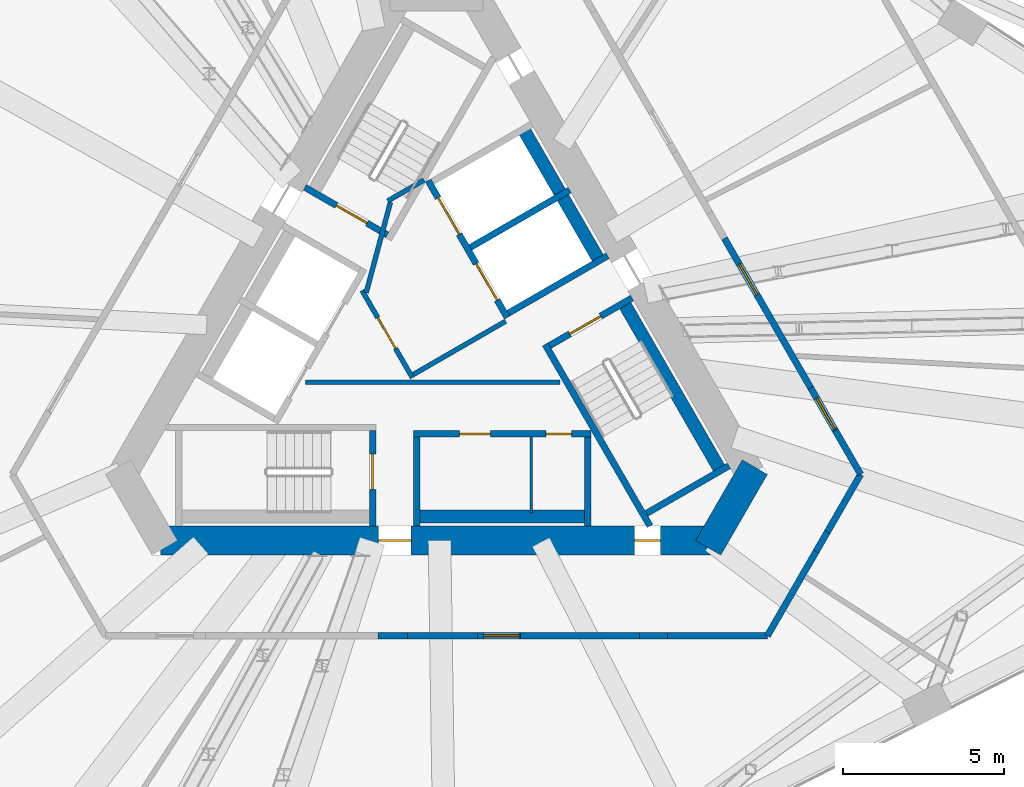
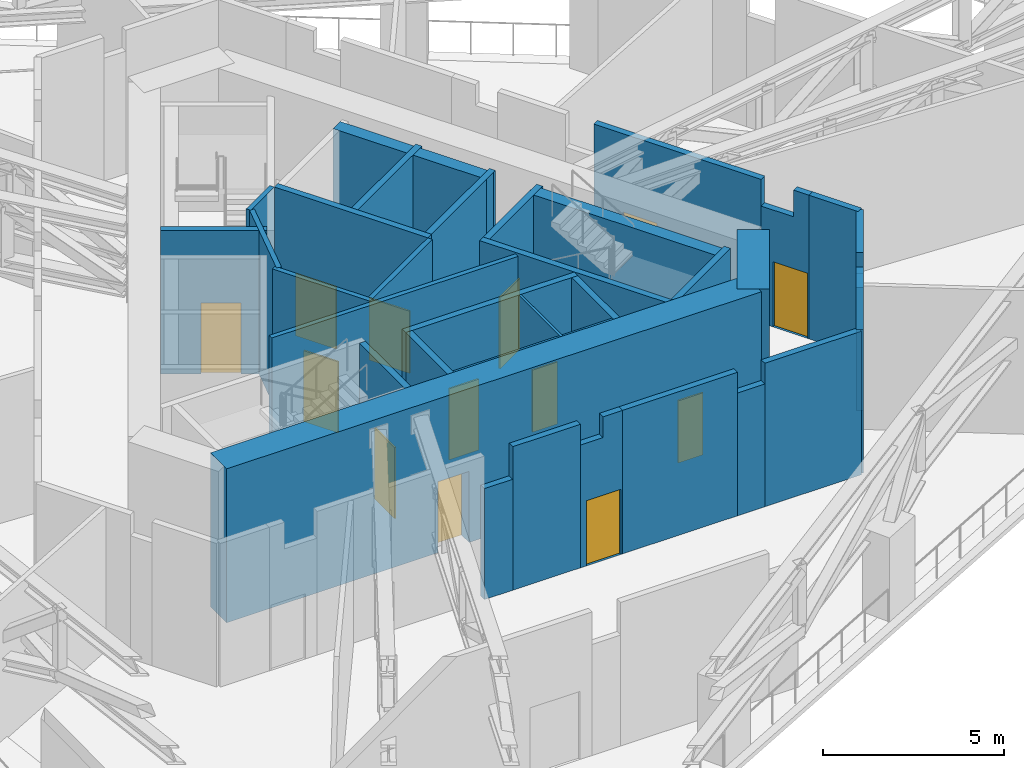
# One storey, part 17 of 26: 34 walls, 13 doors, 13 openings.
"""IFC4 building model written with IfcOpenShell, lengths in metres."""

from ifc_helpers import new_model, si_unit, direction, frame, frame_2d, origin, place, context, subcontext, project, spatial, polyline, rectangle, outline, extrude, material, layer, layer_set, type_object, element, fill, save


model = new_model("IFC4")

# Units and contexts
model_context = context("Model", 3, precision=1e-05, world=origin(), true_north=direction((0.0, 1.0)))
body_context = subcontext(model_context, "Body", "Model", "MODEL_VIEW")
ifc_project = project(units=[si_unit("LENGTHUNIT", "METRE"), si_unit("AREAUNIT", "SQUARE_METRE"), si_unit("VOLUMEUNIT", "CUBIC_METRE"), si_unit("PLANEANGLEUNIT", "RADIAN"), si_unit("MASSUNIT", "GRAM", prefix="KILO")], contexts=[model_context])

# Site, building, storey
site_placement = place(None, origin())
site = spatial("IfcSite", under=ifc_project, at=site_placement, CompositionType="ELEMENT")
building_placement = place(site_placement, origin())
building = spatial("IfcBuilding", under=site, at=building_placement, Name="Tramontana Tower", CompositionType="ELEMENT")
storey_placement = place(building_placement, frame((0.0, 0.0, 157.60009765625)))
storey = spatial("IfcBuildingStorey", under=building, at=storey_placement, Name="L36", CompositionType="ELEMENT", Elevation=157.60009765625)

# Wall, openings, doors
ifc_material_1 = material(Name="Concrete 70 MPa", Category="concrete")
ifc_layer_1 = layer(ifc_material_1, 0.89990234375)
ifc_layer_set_1 = layer_set([ifc_layer_1], Name="Core wall 900 70 MPa")
wall_type_1 = type_object("IfcWallType", Name="Core wall 900 70 MPa", PredefinedType="SHEAR", material=ifc_layer_set_1)
wall_1_placement = place(storey_placement, frame((-8.544921875, -6.300048828125, 0.0), z_axis=(0.0, 0.0, 1.0), x_axis=(1.0, 0.0, 0.0)))
wall_1 = element("IfcWall", 1, at=wall_1_placement, inside=storey, type_object=wall_type_1, Name="Core wall C3 L36", PredefinedType="SHEAR", context=body_context, shape_type="SweptSolid", body=[
    extrude(rectangle(XDim=17.08984375, YDim=0.89990234375, at=frame_2d((8.544921875, 0.0))), origin(), (0.0, 0.0, 1.0), 5.199951171875),
])
opening_1_placement = place(wall_1_placement, frame((6.749755859375, 0.0, 0.0)))
opening_1 = element("IfcOpeningElement", 2, at=opening_1_placement, cuts=wall_1, Name="Opening RG2", PredefinedType="OPENING", context=body_context, shape_type="SweptSolid", body=[
    extrude(rectangle(XDim=1.0, YDim=2.39990234375, at=frame_2d((0.5, 1.199951171875))), frame((0.0, 0.4599609375, 0.0), z_axis=(0.0, -1.0, 0.0), x_axis=(1.0, 0.0, 0.0)), (0.0, 0.0, 1.0), 0.919921875),
])
opening_2_placement = place(wall_1_placement, frame((14.678466796875, 0.0, 0.0)))
opening_2 = element("IfcOpeningElement", 3, at=opening_2_placement, cuts=wall_1, Name="Opening PD2", PredefinedType="OPENING", context=body_context, shape_type="SweptSolid", body=[
    extrude(rectangle(XDim=0.800048828125, YDim=2.10009765625, at=frame_2d((0.39990234375, 1.050048828125))), frame((0.0, 0.4599609375, 0.0), z_axis=(0.0, -1.0, 0.0), x_axis=(1.0, 0.0, 0.0)), (0.0, 0.0, 1.0), 0.919921875),
])
ifc_material_2 = material(Name="Painted steel", Category="steel")
door_type_1 = type_object("IfcDoorType", Name="CUPBOARD DOOR 800", OperationType="SINGLE_SWING_LEFT", PredefinedType="DOOR", material=ifc_material_2)
door_1_placement = place(opening_2_placement, origin())
door_1 = element("IfcDoor", 4, at=door_1_placement, inside=storey, type_object=door_type_1, Name="Door PD2", OperationType="SINGLE_SWING_LEFT", OverallHeight=2.10009765625, OverallWidth=0.800048828125, PredefinedType="DOOR", context=body_context, shape_type="SweptSolid", body=[
    extrude(rectangle(XDim=0.800048828125, YDim=2.10009765625, at=frame_2d((0.39990234375, 1.050048828125))), frame((0.0, 0.02490234375, 0.0), z_axis=(0.0, -1.0, 0.0), x_axis=(1.0, 0.0, 0.0)), (0.0, 0.0, 1.0), 0.050048828125),
])
fill(opening_2, door_1)
ifc_material_3 = material(Name="Painted steel", Category="steel")
door_type_2 = type_object("IfcDoorType", Name="RING DOOR 1000", OperationType="SINGLE_SWING_LEFT", PredefinedType="DOOR", material=ifc_material_3)
door_2_placement = place(opening_1_placement, origin())
door_2 = element("IfcDoor", 5, at=door_2_placement, inside=storey, type_object=door_type_2, Name="Door RG2", OperationType="SINGLE_SWING_LEFT", OverallHeight=2.39990234375, OverallWidth=1.0, PredefinedType="DOOR", context=body_context, shape_type="SweptSolid", body=[
    extrude(rectangle(XDim=1.0, YDim=2.39990234375, at=frame_2d((0.5, 1.199951171875))), frame((0.0, 0.02490234375, 0.0), z_axis=(0.0, -1.0, 0.0), x_axis=(1.0, 0.0, 0.0)), (0.0, 0.0, 1.0), 0.050048828125),
])
fill(opening_1, door_2)

# Wall
wall_2_placement = place(storey_placement, frame((8.414794921875, -6.52490234375, 0.0), z_axis=(0.0, 0.0, 1.0), x_axis=(0.500059191753, 0.865991226713, 0.0)))
element("IfcWall", 6, at=wall_2_placement, inside=storey, type_object=wall_type_1, Name="Core wall C4 L36", PredefinedType="SHEAR", context=body_context, shape_type="SweptSolid", body=[
    extrude(rectangle(XDim=2.886962890625, YDim=0.89990234375, at=frame_2d((1.443359375, 0.0))), origin(), (0.0, 0.0, 1.0), 5.199951171875),
])

# Wall, opening, door
ifc_material_4 = material(Name="Blockwork", Category="masonry")
ifc_layer_2 = layer(ifc_material_4, 0.199951171875)
ifc_layer_set_2 = layer_set([ifc_layer_2], Name="ENTRY WALL 200")
wall_type_2 = type_object("IfcWallType", Name="ENTRY WALL 200", PredefinedType="SOLIDWALL", material=ifc_layer_set_2)
wall_3_placement = place(storey_placement, frame((8.9150390625, 3.05859375, 0.0), z_axis=(0.0, 0.0, 1.0), x_axis=(0.500011158634, -0.866018961248, 0.0)))
wall_3 = element("IfcWall", 7, at=wall_3_placement, inside=storey, type_object=wall_type_2, Name="Wall ew0-6", PredefinedType="SOLIDWALL", context=body_context, shape_type="SweptSolid", body=[
    extrude(rectangle(XDim=5.34375, YDim=0.199951171875, at=frame_2d((2.671875, 0.0))), origin(), (0.0, 0.0, 1.0), 4.849853515625),
])
opening_3_placement = place(wall_3_placement, frame((0.922119140625, 0.0, 0.0)))
opening_3 = element("IfcOpeningElement", 8, at=opening_3_placement, cuts=wall_3, Name="Opening L36-08", PredefinedType="OPENING", context=body_context, shape_type="SweptSolid", body=[
    extrude(rectangle(XDim=1.10009765625, YDim=2.199951171875, at=frame_2d((0.550048828125, 1.10009765625))), frame((0.0, 0.10986328125, 0.0), z_axis=(0.0, -1.0, 0.0), x_axis=(1.0, 0.0, 0.0)), (0.0, 0.0, 1.0), 0.219970703125),
])
ifc_material_5 = material(Name="Painted steel", Category="steel")
door_type_3 = type_object("IfcDoorType", Name="PLANT DOOR 1100", OperationType="SINGLE_SWING_LEFT", PredefinedType="DOOR", material=ifc_material_5)
door_3_placement = place(opening_3_placement, origin())
door_3 = element("IfcDoor", 9, at=door_3_placement, inside=storey, type_object=door_type_3, Name="Door L36-08", OperationType="SINGLE_SWING_RIGHT", OverallHeight=2.199951171875, OverallWidth=1.10009765625, PredefinedType="DOOR", context=body_context, shape_type="SweptSolid", body=[
    extrude(rectangle(XDim=1.10009765625, YDim=2.199951171875, at=frame_2d((0.550048828125, 1.10009765625))), frame((0.0, 0.02490234375, 0.0), z_axis=(0.0, -1.0, 0.0), x_axis=(1.0, 0.0, 0.0)), (0.0, 0.0, 1.0), 0.050048828125),
])
fill(opening_3, door_3)

wall_4_placement = place(storey_placement, frame((11.5869140625, -1.569091796875, 0.0), z_axis=(0.0, 0.0, 1.0), x_axis=(0.500008507724, -0.866020491792, 0.0)))
wall_4 = element("IfcWall", 10, at=wall_4_placement, inside=storey, type_object=wall_type_2, Name="Wall ew0-7", PredefinedType="SOLIDWALL", context=body_context, shape_type="SweptSolid", body=[
    extrude(outline(polyline([(0.0, 0.0), (1.52685546875, 0.0), (1.52685546875, 4.849853515625), (1.039306640625, 4.849853515625), (1.039306640625, 3.949951171875), (0.0, 3.949951171875), (0.0, 0.0)])), frame((0.0, 0.10009765625, 0.0), z_axis=(0.0, -1.0, 0.0), x_axis=(1.0, 0.0, 0.0)), (0.0, 0.0, 1.0), 0.199951171875),
])
opening_4_placement = place(wall_4_placement, frame((0.376708984375, 0.0, 0.0)))
opening_4 = element("IfcOpeningElement", 11, at=opening_4_placement, cuts=wall_4, Name="Opening L36-07", PredefinedType="OPENING", context=body_context, shape_type="SweptSolid", body=[
    extrude(rectangle(XDim=1.10009765625, YDim=2.199951171875, at=frame_2d((0.550048828125, 1.10009765625))), frame((0.0, 0.10986328125, 0.0), z_axis=(0.0, -1.0, 0.0), x_axis=(1.0, 0.0, 0.0)), (0.0, 0.0, 1.0), 0.219970703125),
])
door_4_placement = place(opening_4_placement, origin())
door_4 = element("IfcDoor", 12, at=door_4_placement, inside=storey, type_object=door_type_3, Name="Door L36-07", OperationType="SINGLE_SWING_LEFT", OverallHeight=2.199951171875, OverallWidth=1.10009765625, PredefinedType="DOOR", context=body_context, shape_type="SweptSolid", body=[
    extrude(rectangle(XDim=1.10009765625, YDim=2.199951171875, at=frame_2d((0.550048828125, 1.10009765625))), frame((0.0, 0.02490234375, 0.0), z_axis=(0.0, -1.0, 0.0), x_axis=(1.0, 0.0, 0.0)), (0.0, 0.0, 1.0), 0.050048828125),
])
fill(opening_4, door_4)

# Walls
wall_5_placement = place(storey_placement, frame((12.350341796875, -2.891357421875, 0.0), z_axis=(0.0, 0.0, 1.0), x_axis=(0.500005339912, -0.866022320763, 0.0)))
element("IfcWall", 13, at=wall_5_placement, inside=storey, type_object=wall_type_2, Name="Wall ew0-8", PredefinedType="SOLIDWALL", context=body_context, shape_type="SweptSolid", body=[
    extrude(rectangle(XDim=1.56884765625, YDim=0.199951171875, at=frame_2d((0.784423828125, 0.0))), origin(), (0.0, 0.0, 1.0), 4.849853515625),
])
wall_6_placement = place(storey_placement, frame((13.134765625, -4.25, 0.0), z_axis=(0.0, 0.0, 1.0), x_axis=(-0.500030520673, -0.866007781949, 0.0)))
element("IfcWall", 14, at=wall_6_placement, inside=storey, type_object=wall_type_2, Name="Wall ew1-0", PredefinedType="SOLIDWALL", context=body_context, shape_type="SweptSolid", body=[
    extrude(rectangle(XDim=2.057861328125, YDim=0.199951171875, at=frame_2d((1.02880859375, 0.0))), origin(), (0.0, 0.0, 1.0), 4.849853515625),
])
wall_7_placement = place(storey_placement, frame((12.105712890625, -6.0322265625, 0.0), z_axis=(0.0, 0.0, 1.0), x_axis=(-0.49996389635, -0.866046247233, 0.0)))
element("IfcWall", 15, at=wall_7_placement, inside=storey, type_object=wall_type_2, Name="Wall ew1-1", PredefinedType="SOLIDWALL", context=body_context, shape_type="SweptSolid", body=[
    extrude(rectangle(XDim=0.7001953125, YDim=0.199951171875, at=frame_2d((0.35009765625, 0.0))), origin(), (0.0, 0.0, 1.0), 4.14990234375),
])
wall_8_placement = place(storey_placement, frame((11.755615234375, -6.638671875, 0.0), z_axis=(0.0, 0.0, 1.0), x_axis=(-0.499979445284, -0.86603727073, 0.0)))
element("IfcWall", 16, at=wall_8_placement, inside=storey, type_object=wall_type_2, Name="Wall ew1-2", PredefinedType="SOLIDWALL", context=body_context, shape_type="SweptSolid", body=[
    extrude(rectangle(XDim=3.015380859375, YDim=0.199951171875, at=frame_2d((1.5078125, 0.0))), origin(), (0.0, 0.0, 1.0), 4.849853515625),
])
wall_9_placement = place(storey_placement, frame((10.248046875, -9.25, 0.0), z_axis=(0.0, 0.0, 1.0), x_axis=(-1.0, 0.0, 0.0)))
element("IfcWall", 17, at=wall_9_placement, inside=storey, type_object=wall_type_2, Name="Wall ew2-0", PredefinedType="SOLIDWALL", context=body_context, shape_type="SweptSolid", body=[
    extrude(rectangle(XDim=3.094970703125, YDim=0.199951171875, at=frame_2d((1.54736328125, 0.0))), origin(), (0.0, 0.0, 1.0), 4.849853515625),
])
wall_10_placement = place(storey_placement, frame((7.153076171875, -9.25, 0.0), z_axis=(0.0, 0.0, 1.0), x_axis=(-1.0, 0.0, 0.0)))
element("IfcWall", 18, at=wall_10_placement, inside=storey, type_object=wall_type_2, Name="Wall ew2-1", PredefinedType="SOLIDWALL", context=body_context, shape_type="SweptSolid", body=[
    extrude(rectangle(XDim=0.865234375, YDim=0.199951171875, at=frame_2d((0.4326171875, 0.0))), origin(), (0.0, 0.0, 1.0), 4.14990234375),
])
wall_11_placement = place(storey_placement, frame((6.287841796875, -9.25, 0.0), z_axis=(0.0, 0.0, 1.0), x_axis=(-1.0, 0.0, 0.0)))
element("IfcWall", 19, at=wall_11_placement, inside=storey, type_object=wall_type_2, Name="Wall ew2-2", PredefinedType="SOLIDWALL", context=body_context, shape_type="SweptSolid", body=[
    extrude(rectangle(XDim=3.6806640625, YDim=0.199951171875, at=frame_2d((1.84033203125, 0.0))), origin(), (0.0, 0.0, 1.0), 4.849853515625),
])

# Wall, opening, door
wall_12_placement = place(storey_placement, frame((2.607177734375, -9.25, 0.0), z_axis=(0.0, 0.0, 1.0), x_axis=(-1.0, 0.0, 0.0)))
wall_12 = element("IfcWall", 20, at=wall_12_placement, inside=storey, type_object=wall_type_2, Name="Wall ew2-3", PredefinedType="SOLIDWALL", context=body_context, shape_type="SweptSolid", body=[
    extrude(outline(polyline([(0.0, 0.0), (1.336669921875, 0.0), (1.336669921875, 4.14990234375), (0.625732421875, 4.14990234375), (0.625732421875, 4.849853515625), (0.0, 4.849853515625), (0.0, 0.0)])), frame((0.0, 0.10009765625, 0.0), z_axis=(0.0, -1.0, 0.0), x_axis=(1.0, 0.0, 0.0)), (0.0, 0.0, 1.0), 0.199951171875),
])
opening_5_placement = place(wall_12_placement, frame((0.050048828125, 0.0, 0.0)))
opening_5 = element("IfcOpeningElement", 21, at=opening_5_placement, cuts=wall_12, Name="Opening L36-06", PredefinedType="OPENING", context=body_context, shape_type="SweptSolid", body=[
    extrude(rectangle(XDim=1.10009765625, YDim=2.199951171875, at=frame_2d((0.550048828125, 1.10009765625))), frame((0.0, 0.10986328125, 0.0), z_axis=(0.0, -1.0, 0.0), x_axis=(1.0, 0.0, 0.0)), (0.0, 0.0, 1.0), 0.219970703125),
])
door_5_placement = place(opening_5_placement, origin())
door_5 = element("IfcDoor", 22, at=door_5_placement, inside=storey, type_object=door_type_3, Name="Door L36-06", OperationType="SINGLE_SWING_RIGHT", OverallHeight=2.199951171875, OverallWidth=1.10009765625, PredefinedType="DOOR", context=body_context, shape_type="SweptSolid", body=[
    extrude(rectangle(XDim=1.10009765625, YDim=2.199951171875, at=frame_2d((0.550048828125, 1.10009765625))), frame((0.0, 0.02490234375, 0.0), z_axis=(0.0, -1.0, 0.0), x_axis=(1.0, 0.0, 0.0)), (0.0, 0.0, 1.0), 0.050048828125),
])
fill(opening_5, door_5)

# Walls
wall_13_placement = place(storey_placement, frame((1.2705078125, -9.25, 0.0), z_axis=(0.0, 0.0, 1.0), x_axis=(-1.0, 0.0, 0.0)))
element("IfcWall", 23, at=wall_13_placement, inside=storey, type_object=wall_type_2, Name="Wall ew2-4", PredefinedType="SOLIDWALL", context=body_context, shape_type="SweptSolid", body=[
    extrude(rectangle(XDim=2.169677734375, YDim=0.199951171875, at=frame_2d((1.0849609375, 0.0))), origin(), (0.0, 0.0, 1.0), 4.849853515625),
])
wall_14_placement = place(storey_placement, frame((-0.899169921875, -9.25, 0.0), z_axis=(0.0, 0.0, 1.0), x_axis=(-1.0, 0.0, 0.0)))
element("IfcWall", 24, at=wall_14_placement, inside=storey, type_object=wall_type_2, Name="Wall ew2-5", PredefinedType="SOLIDWALL", context=body_context, shape_type="SweptSolid", body=[
    extrude(rectangle(XDim=0.909423828125, YDim=0.199951171875, at=frame_2d((0.45458984375, 0.0))), origin(), (0.0, 0.0, 1.0), 3.75),
])

# Wall, opening, door
ifc_material_6 = material(Name="Gypsum board partition")
ifc_layer_3 = layer(ifc_material_6, 0.14990234375)
ifc_layer_set_3 = layer_set([ifc_layer_3], Name="PARTITION 150")
wall_type_3 = type_object("IfcWallType", Name="PARTITION 150", PredefinedType="PARTITIONING", material=ifc_layer_set_3)
wall_15_placement = place(storey_placement, frame((-0.744140625, -1.260986328125, 0.0), z_axis=(0.0, 0.0, 1.0), x_axis=(-0.500004234368, 0.866022959057, 0.0)))
wall_15 = element("IfcWall", 25, at=wall_15_placement, inside=storey, type_object=wall_type_3, Name="Wall ff-front", PredefinedType="PARTITIONING", context=body_context, shape_type="SweptSolid", body=[
    extrude(rectangle(XDim=3.125, YDim=0.14990234375, at=frame_2d((1.5625, 0.0))), origin(), (0.0, 0.0, 1.0), 4.849853515625),
])
opening_6_placement = place(wall_15_placement, frame((1.050048828125, 0.0, 0.0)))
opening_6 = element("IfcOpeningElement", 26, at=opening_6_placement, cuts=wall_15, Name="Opening FD1", PredefinedType="OPENING", context=body_context, shape_type="SweptSolid", body=[
    extrude(rectangle(XDim=1.10009765625, YDim=2.39990234375, at=frame_2d((0.550048828125, 1.199951171875))), frame((0.0, 0.0849609375, 0.0), z_axis=(0.0, -1.0, 0.0), x_axis=(1.0, 0.0, 0.0)), (0.0, 0.0, 1.0), 0.169921875),
])
ifc_material_7 = material(Name="Painted timber", Category="wood")
door_type_4 = type_object("IfcDoorType", Name="DOOR ENTRY 1100", OperationType="SINGLE_SWING_LEFT", PredefinedType="DOOR", material=ifc_material_7)
door_6_placement = place(opening_6_placement, origin())
door_6 = element("IfcDoor", 27, at=door_6_placement, inside=storey, type_object=door_type_4, Name="Door FD1", OperationType="SINGLE_SWING_LEFT", OverallHeight=2.39990234375, OverallWidth=1.10009765625, PredefinedType="DOOR", context=body_context, shape_type="SweptSolid", body=[
    extrude(rectangle(XDim=1.10009765625, YDim=2.39990234375, at=frame_2d((0.550048828125, 1.199951171875))), frame((0.0, 0.02490234375, 0.0), z_axis=(0.0, -1.0, 0.0), x_axis=(1.0, 0.0, 0.0)), (0.0, 0.0, 1.0), 0.050048828125),
])
fill(opening_6, door_6)

# Walls
wall_16_placement = place(storey_placement, frame((-0.716796875, -1.15869140625, 0.0), z_axis=(0.0, 0.0, 1.0), x_axis=(0.866008176907, 0.50002983664, 0.0)))
element("IfcWall", 28, at=wall_16_placement, inside=storey, type_object=wall_type_3, Name="Wall ff-end0", PredefinedType="PARTITIONING", context=body_context, shape_type="SweptSolid", body=[
    extrude(rectangle(XDim=3.300048828125, YDim=0.14990234375, at=frame_2d((1.64990234375, 0.0))), origin(), (0.0, 0.0, 1.0), 4.849853515625),
])
wall_17_placement = place(storey_placement, frame((-2.177978515625, 1.372314453125, 0.0), z_axis=(0.0, 0.0, 1.0), x_axis=(0.258808958833, 0.96592852884, 0.0)))
element("IfcWall", 29, at=wall_17_placement, inside=storey, type_object=wall_type_3, Name="Wall ff-diag", PredefinedType="PARTITIONING", context=body_context, shape_type="SweptSolid", body=[
    extrude(rectangle(XDim=2.902587890625, YDim=0.14990234375, at=frame_2d((1.451171875, 0.0))), origin(), (0.0, 0.0, 1.0), 4.849853515625),
])
wall_18_placement = place(storey_placement, frame((-1.509765625, 4.21484375, 0.0), z_axis=(0.0, 0.0, 1.0), x_axis=(0.866085525409, 0.49989585183, 0.0)))
element("IfcWall", 30, at=wall_18_placement, inside=storey, type_object=wall_type_3, Name="Wall ff-end1", PredefinedType="PARTITIONING", context=body_context, shape_type="SweptSolid", body=[
    extrude(rectangle(XDim=1.300048828125, YDim=0.14990234375, at=frame_2d((0.64990234375, 0.0))), origin(), (0.0, 0.0, 1.0), 4.849853515625),
])
wall_19_placement = place(storey_placement, frame((-4.053466796875, -1.39990234375, 0.0), z_axis=(0.0, 0.0, 1.0), x_axis=(1.0, 0.0, 0.0)))
element("IfcWall", 31, at=wall_19_placement, inside=storey, type_object=wall_type_3, Name="Wall hub-cut1", PredefinedType="PARTITIONING", context=body_context, shape_type="SweptSolid", body=[
    extrude(rectangle(XDim=7.8759765625, YDim=0.14990234375, at=frame_2d((3.93798828125, 0.0))), origin(), (0.0, 0.0, 1.0), 4.849853515625),
])
ifc_material_8 = material(Name="Gypsum board partition")
ifc_layer_4 = layer(ifc_material_8, 0.080078125)
ifc_layer_set_4 = layer_set([ifc_layer_4], Name="PARTITION 80")
wall_type_4 = type_object("IfcWallType", Name="PARTITION 80", PredefinedType="PARTITIONING", material=ifc_layer_set_4)
wall_20_placement = place(storey_placement, frame((2.93994140625, -3.10009765625, 0.0), z_axis=(0.0, 0.0, 1.0), x_axis=(0.0, -1.0, 0.0)))
element("IfcWall", 32, at=wall_20_placement, inside=storey, type_object=wall_type_4, Name="Wall row1-split", PredefinedType="PARTITIONING", context=body_context, shape_type="SweptSolid", body=[
    extrude(rectangle(XDim=2.349853515625, YDim=0.080078125, at=frame_2d((1.1748046875, 0.0))), origin(), (0.0, 0.0, 1.0), 4.849853515625),
])
ifc_material_9 = material(Name="Concrete 70 MPa", Category="concrete")
ifc_layer_5 = layer(ifc_material_9, 0.39990234375)
ifc_layer_set_5 = layer_set([ifc_layer_5], Name="Concrete 70 MPa, 400 mm")
wall_type_5 = type_object("IfcWallType", Name="RC SHAFT BACK WALL 400", PredefinedType="SOLIDWALL", material=ifc_layer_set_5)
wall_21_placement = place(storey_placement, frame((8.846435546875, -4.222412109375, 0.0), z_axis=(0.0, 0.0, 1.0), x_axis=(-0.500009909098, 0.866019682689, 0.0)))
element("IfcWall", 33, at=wall_21_placement, inside=storey, type_object=wall_type_5, Name="Wall st3-back", PredefinedType="SOLIDWALL", context=body_context, shape_type="SweptSolid", body=[
    extrude(rectangle(XDim=6.199951171875, YDim=0.39990234375, at=frame_2d((3.10009765625, 0.0))), origin(), (0.0, 0.0, 1.0), 4.849853515625),
])
wall_22_placement = place(storey_placement, frame((-0.7099609375, -5.550048828125, 0.0), z_axis=(0.0, 0.0, 1.0), x_axis=(1.0, 0.0, 0.0)))
element("IfcWall", 34, at=wall_22_placement, inside=storey, type_object=wall_type_5, Name="Wall row1-back", PredefinedType="SOLIDWALL", context=body_context, shape_type="SweptSolid", body=[
    extrude(rectangle(XDim=5.5, YDim=0.39990234375, at=frame_2d((2.75, 0.0))), origin(), (0.0, 0.0, 1.0), 4.849853515625),
])
wall_23_placement = place(storey_placement, frame((5.091552734375, 2.28125, 0.0), z_axis=(0.0, 0.0, 1.0), x_axis=(-0.500018594424, 0.866014668023, 0.0)))
element("IfcWall", 35, at=wall_23_placement, inside=storey, type_object=wall_type_5, Name="Wall row2-back", PredefinedType="SOLIDWALL", context=body_context, shape_type="SweptSolid", body=[
    extrude(rectangle(XDim=4.900146484375, YDim=0.39990234375, at=frame_2d((2.4501953125, 0.0))), origin(), (0.0, 0.0, 1.0), 4.849853515625),
])

# Wall, opening, door
ifc_material_10 = material(Name="Concrete 70 MPa", Category="concrete")
ifc_layer_6 = layer(ifc_material_10, 0.199951171875)
ifc_layer_set_6 = layer_set([ifc_layer_6], Name="Concrete 70 MPa, 200 mm")
wall_type_6 = type_object("IfcWallType", Name="RC STAIR AND SHAFT WALL 200", PredefinedType="SOLIDWALL", material=ifc_layer_set_6)
wall_24_placement = place(storey_placement, frame((-1.521484375, 3.164794921875, 0.0), z_axis=(0.0, 0.0, 1.0), x_axis=(-0.866039495442, 0.49997559174, 0.0)))
wall_24 = element("IfcWall", 36, at=wall_24_placement, inside=storey, type_object=wall_type_6, Name="Wall st1-near", PredefinedType="SOLIDWALL", context=body_context, shape_type="SweptSolid", body=[
    extrude(rectangle(XDim=2.949951171875, YDim=0.199951171875, at=frame_2d((1.47509765625, 0.0))), origin(), (0.0, 0.0, 1.0), 4.849853515625),
])
opening_7_placement = place(wall_24_placement, frame((0.72509765625, 0.0, 0.0)))
opening_7 = element("IfcOpeningElement", 37, at=opening_7_placement, cuts=wall_24, Name="Opening SD1", PredefinedType="OPENING", context=body_context, shape_type="SweptSolid", body=[
    extrude(rectangle(XDim=1.10009765625, YDim=2.39990234375, at=frame_2d((0.550048828125, 1.199951171875))), frame((0.0, 0.10986328125, 0.0), z_axis=(0.0, -1.0, 0.0), x_axis=(1.0, 0.0, 0.0)), (0.0, 0.0, 1.0), 0.219970703125),
])
ifc_material_11 = material(Name="Painted steel", Category="steel")
door_type_5 = type_object("IfcDoorType", Name="STAIR DOOR 1100", OperationType="SINGLE_SWING_LEFT", PredefinedType="DOOR", material=ifc_material_11)
door_7_placement = place(opening_7_placement, origin())
door_7 = element("IfcDoor", 38, at=door_7_placement, inside=storey, type_object=door_type_5, Name="Door SD1", OperationType="SINGLE_SWING_RIGHT", OverallHeight=2.39990234375, OverallWidth=1.10009765625, PredefinedType="DOOR", context=body_context, shape_type="SweptSolid", body=[
    extrude(rectangle(XDim=1.10009765625, YDim=2.39990234375, at=frame_2d((0.550048828125, 1.199951171875))), frame((0.0, 0.02490234375, 0.0), z_axis=(0.0, -1.0, 0.0), x_axis=(1.0, 0.0, 0.0)), (0.0, 0.0, 1.0), 0.050048828125),
])
fill(opening_7, door_7)

wall_25_placement = place(storey_placement, frame((-1.97998046875, -2.89990234375, 0.0), z_axis=(0.0, 0.0, 1.0), x_axis=(0.0, -1.0, 0.0)))
wall_25 = element("IfcWall", 39, at=wall_25_placement, inside=storey, type_object=wall_type_6, Name="Wall st2-near", PredefinedType="SOLIDWALL", context=body_context, shape_type="SweptSolid", body=[
    extrude(rectangle(XDim=2.9501953125, YDim=0.199951171875, at=frame_2d((1.47509765625, 0.0))), origin(), (0.0, 0.0, 1.0), 4.849853515625),
])
opening_8_placement = place(wall_25_placement, frame((0.72509765625, 0.0, 0.0)))
opening_8 = element("IfcOpeningElement", 40, at=opening_8_placement, cuts=wall_25, Name="Opening SD2", PredefinedType="OPENING", context=body_context, shape_type="SweptSolid", body=[
    extrude(rectangle(XDim=1.10009765625, YDim=2.39990234375, at=frame_2d((0.550048828125, 1.199951171875))), frame((0.0, 0.10986328125, 0.0), z_axis=(0.0, -1.0, 0.0), x_axis=(1.0, 0.0, 0.0)), (0.0, 0.0, 1.0), 0.219970703125),
])
door_8_placement = place(opening_8_placement, origin())
door_8 = element("IfcDoor", 41, at=door_8_placement, inside=storey, type_object=door_type_5, Name="Door SD2", OperationType="SINGLE_SWING_LEFT", OverallHeight=2.39990234375, OverallWidth=1.10009765625, PredefinedType="DOOR", context=body_context, shape_type="SweptSolid", body=[
    extrude(rectangle(XDim=1.10009765625, YDim=2.39990234375, at=frame_2d((0.550048828125, 1.199951171875))), frame((0.0, 0.02490234375, 0.0), z_axis=(0.0, -1.0, 0.0), x_axis=(1.0, 0.0, 0.0)), (0.0, 0.0, 1.0), 0.050048828125),
])
fill(opening_8, door_8)

# Walls
wall_26_placement = place(storey_placement, frame((6.610595703125, -5.85009765625, 0.0), z_axis=(0.0, 0.0, 1.0), x_axis=(-0.499965531574, 0.866045303225, 0.0)))
element("IfcWall", 42, at=wall_26_placement, inside=storey, type_object=wall_type_6, Name="Wall st3-front", PredefinedType="SOLIDWALL", context=body_context, shape_type="SweptSolid", body=[
    extrude(rectangle(XDim=6.49169921875, YDim=0.199951171875, at=frame_2d((3.245849609375, 0.0))), origin(), (0.0, 0.0, 1.0), 4.849853515625),
])
wall_27_placement = place(storey_placement, frame((6.50146484375, -5.4609375, 0.0), z_axis=(0.0, 0.0, 1.0), x_axis=(0.866003658127, 0.500037662692, 0.0)))
element("IfcWall", 43, at=wall_27_placement, inside=storey, type_object=wall_type_6, Name="Wall st3-far", PredefinedType="SOLIDWALL", context=body_context, shape_type="SweptSolid", body=[
    extrude(rectangle(XDim=2.949951171875, YDim=0.199951171875, at=frame_2d((1.47509765625, 0.0))), origin(), (0.0, 0.0, 1.0), 4.849853515625),
])

# Wall, opening, door
wall_28_placement = place(storey_placement, frame((3.50146484375, -0.2646484375, 0.0), z_axis=(0.0, 0.0, 1.0), x_axis=(0.866039495442, 0.49997559174, 0.0)))
wall_28 = element("IfcWall", 44, at=wall_28_placement, inside=storey, type_object=wall_type_6, Name="Wall st3-near", PredefinedType="SOLIDWALL", context=body_context, shape_type="SweptSolid", body=[
    extrude(rectangle(XDim=2.949951171875, YDim=0.199951171875, at=frame_2d((1.47509765625, 0.0))), origin(), (0.0, 0.0, 1.0), 4.849853515625),
])
opening_9_placement = place(wall_28_placement, frame((0.72509765625, 0.0, 0.0)))
opening_9 = element("IfcOpeningElement", 45, at=opening_9_placement, cuts=wall_28, Name="Opening SD3", PredefinedType="OPENING", context=body_context, shape_type="SweptSolid", body=[
    extrude(rectangle(XDim=1.10009765625, YDim=2.39990234375, at=frame_2d((0.550048828125, 1.199951171875))), frame((0.0, 0.10986328125, 0.0), z_axis=(0.0, -1.0, 0.0), x_axis=(1.0, 0.0, 0.0)), (0.0, 0.0, 1.0), 0.219970703125),
])
door_9_placement = place(opening_9_placement, origin())
door_9 = element("IfcDoor", 46, at=door_9_placement, inside=storey, type_object=door_type_5, Name="Door SD3", OperationType="SINGLE_SWING_RIGHT", OverallHeight=2.39990234375, OverallWidth=1.10009765625, PredefinedType="DOOR", context=body_context, shape_type="SweptSolid", body=[
    extrude(rectangle(XDim=1.10009765625, YDim=2.39990234375, at=frame_2d((0.550048828125, 1.199951171875))), frame((0.0, 0.02490234375, 0.0), z_axis=(0.0, -1.0, 0.0), x_axis=(1.0, 0.0, 0.0)), (0.0, 0.0, 1.0), 0.050048828125),
])
fill(opening_9, door_9)

# Wall, openings, doors
wall_29_placement = place(storey_placement, frame((4.7900390625, -3.0, 0.0), z_axis=(0.0, 0.0, 1.0), x_axis=(-1.0, 0.0, 0.0)))
wall_29 = element("IfcWall", 47, at=wall_29_placement, inside=storey, type_object=wall_type_6, Name="Wall row1-front", PredefinedType="SOLIDWALL", context=body_context, shape_type="SweptSolid", body=[
    extrude(rectangle(XDim=5.5, YDim=0.199951171875, at=frame_2d((2.75, 0.0))), origin(), (0.0, 0.0, 1.0), 4.849853515625),
])
opening_10_placement = place(wall_29_placement, frame((3.1201171875, 0.0, 0.0)))
opening_10 = element("IfcOpeningElement", 48, at=opening_10_placement, cuts=wall_29, Name="Opening RD-1A", PredefinedType="OPENING", context=body_context, shape_type="SweptSolid", body=[
    extrude(rectangle(XDim=0.949951171875, YDim=2.39990234375, at=frame_2d((0.47509765625, 1.199951171875))), frame((0.0, 0.10986328125, 0.0), z_axis=(0.0, -1.0, 0.0), x_axis=(1.0, 0.0, 0.0)), (0.0, 0.0, 1.0), 0.219970703125),
])
opening_11_placement = place(wall_29_placement, frame((0.60498046875, 0.0, 0.0)))
opening_11 = element("IfcOpeningElement", 49, at=opening_11_placement, cuts=wall_29, Name="Opening RD-1B", PredefinedType="OPENING", context=body_context, shape_type="SweptSolid", body=[
    extrude(rectangle(XDim=0.800048828125, YDim=2.10009765625, at=frame_2d((0.39990234375, 1.050048828125))), frame((0.0, 0.10986328125, 0.0), z_axis=(0.0, -1.0, 0.0), x_axis=(1.0, 0.0, 0.0)), (0.0, 0.0, 1.0), 0.219970703125),
])
door_10_placement = place(opening_11_placement, origin())
door_10 = element("IfcDoor", 50, at=door_10_placement, inside=storey, type_object=door_type_1, Name="Door RD-1B", OperationType="SINGLE_SWING_RIGHT", OverallHeight=2.10009765625, OverallWidth=0.800048828125, PredefinedType="DOOR", context=body_context, shape_type="SweptSolid", body=[
    extrude(rectangle(XDim=0.800048828125, YDim=2.10009765625, at=frame_2d((0.39990234375, 1.050048828125))), frame((0.0, 0.02490234375, 0.0), z_axis=(0.0, -1.0, 0.0), x_axis=(1.0, 0.0, 0.0)), (0.0, 0.0, 1.0), 0.050048828125),
])
fill(opening_11, door_10)
ifc_material_12 = material(Name="Painted timber", Category="wood")
door_type_6 = type_object("IfcDoorType", Name="DOOR ROOM 950", OperationType="SINGLE_SWING_LEFT", PredefinedType="DOOR", material=ifc_material_12)
door_11_placement = place(opening_10_placement, origin())
door_11 = element("IfcDoor", 51, at=door_11_placement, inside=storey, type_object=door_type_6, Name="Door RD-1A", OperationType="SINGLE_SWING_LEFT", OverallHeight=2.39990234375, OverallWidth=0.949951171875, PredefinedType="DOOR", context=body_context, shape_type="SweptSolid", body=[
    extrude(rectangle(XDim=0.949951171875, YDim=2.39990234375, at=frame_2d((0.47509765625, 1.199951171875))), frame((0.0, 0.02490234375, 0.0), z_axis=(0.0, -1.0, 0.0), x_axis=(1.0, 0.0, 0.0)), (0.0, 0.0, 1.0), 0.050048828125),
])
fill(opening_10, door_11)

# Walls
for number, where, z_axis, x_axis, name in (
    (52, (-0.610107421875, -3.10009765625, 0.0), (0.0, 0.0, 1.0), (0.0, -1.0, 0.0), "Wall row1-side0"),
    (53, (4.68994140625, -3.10009765625, 0.0), (0.0, 0.0, 1.0), (0.0, -1.0, 0.0), "Wall row1-side2"),
):
    element("IfcWall", number, at=place(storey_placement, frame(where, z_axis=z_axis, x_axis=x_axis)), inside=storey, type_object=wall_type_6, Name=name, PredefinedType="SOLIDWALL", context=body_context, shape_type="SweptSolid", body=[
        extrude(rectangle(XDim=2.75, YDim=0.199951171875, at=frame_2d((1.375, 0.0))), origin(), (0.0, 0.0, 1.0), 4.849853515625),
    ])

# Wall, openings, doors
wall_30_placement = place(storey_placement, frame((2.190185546875, 0.6064453125, 0.0), z_axis=(0.0, 0.0, 1.0), x_axis=(-0.500002801628, 0.866023786258, 0.0)))
wall_30 = element("IfcWall", 54, at=wall_30_placement, inside=storey, type_object=wall_type_6, Name="Wall row2-front", PredefinedType="SOLIDWALL", context=body_context, shape_type="SweptSolid", body=[
    extrude(rectangle(XDim=4.89990234375, YDim=0.199951171875, at=frame_2d((2.449951171875, 0.0))), origin(), (0.0, 0.0, 1.0), 4.849853515625),
])
opening_12_placement = place(wall_30_placement, frame((0.625, 0.0, 0.0)))
opening_12 = element("IfcOpeningElement", 55, at=opening_12_placement, cuts=wall_30, Name="Opening LD-F1", PredefinedType="OPENING", context=body_context, shape_type="SweptSolid", body=[
    extrude(rectangle(XDim=1.300048828125, YDim=2.10009765625, at=frame_2d((0.64990234375, 1.050048828125))), frame((0.0, 0.10986328125, 0.0), z_axis=(0.0, -1.0, 0.0), x_axis=(1.0, 0.0, 0.0)), (0.0, 0.0, 1.0), 0.219970703125),
])
opening_13_placement = place(wall_30_placement, frame((2.97509765625, 0.0, 0.0)))
opening_13 = element("IfcOpeningElement", 56, at=opening_13_placement, cuts=wall_30, Name="Opening LD-F2", PredefinedType="OPENING", context=body_context, shape_type="SweptSolid", body=[
    extrude(rectangle(XDim=1.300048828125, YDim=2.10009765625, at=frame_2d((0.64990234375, 1.050048828125))), frame((0.0, 0.10986328125, 0.0), z_axis=(0.0, -1.0, 0.0), x_axis=(1.0, 0.0, 0.0)), (0.0, 0.0, 1.0), 0.219970703125),
])
ifc_material_13 = material(Name="Brushed steel", Category="steel")
door_type_7 = type_object("IfcDoorType", Name="LANDING DOOR 1300", OperationType="SINGLE_SWING_LEFT", PredefinedType="DOOR", material=ifc_material_13)
door_12_placement = place(opening_12_placement, origin())
door_12 = element("IfcDoor", 57, at=door_12_placement, inside=storey, type_object=door_type_7, Name="Door LD-F1", OperationType="SLIDING_TO_LEFT", OverallHeight=2.10009765625, OverallWidth=1.300048828125, PredefinedType="DOOR", context=body_context, shape_type="SweptSolid", body=[
    extrude(rectangle(XDim=1.300048828125, YDim=2.10009765625, at=frame_2d((0.64990234375, 1.050048828125))), frame((0.0, 0.02490234375, 0.0), z_axis=(0.0, -1.0, 0.0), x_axis=(1.0, 0.0, 0.0)), (0.0, 0.0, 1.0), 0.050048828125),
])
fill(opening_12, door_12)
door_13_placement = place(opening_13_placement, origin())
door_13 = element("IfcDoor", 58, at=door_13_placement, inside=storey, type_object=door_type_7, Name="Door LD-F2", OperationType="SLIDING_TO_RIGHT", OverallHeight=2.10009765625, OverallWidth=1.300048828125, PredefinedType="DOOR", context=body_context, shape_type="SweptSolid", body=[
    extrude(rectangle(XDim=1.300048828125, YDim=2.10009765625, at=frame_2d((0.64990234375, 1.050048828125))), frame((0.0, 0.02490234375, 0.0), z_axis=(0.0, -1.0, 0.0), x_axis=(1.0, 0.0, 0.0)), (0.0, 0.0, 1.0), 0.050048828125),
])
fill(opening_13, door_13)

# Walls
for number, where, z_axis, x_axis, name in (
    (59, (2.226806640625, 0.742919921875, 0.0), (0.0, 0.0, 1.0), (0.866012656725, 0.500022077904, 0.0), "Wall row2-side0"),
    (60, (1.0517578125, 2.778076171875, 0.0), (0.0, 0.0, 1.0), (0.866012656725, 0.500022077904, 0.0), "Wall row2-side1"),
):
    element("IfcWall", number, at=place(storey_placement, frame(where, z_axis=z_axis, x_axis=x_axis)), inside=storey, type_object=wall_type_6, Name=name, PredefinedType="SOLIDWALL", context=body_context, shape_type="SweptSolid", body=[
        extrude(rectangle(XDim=3.550048828125, YDim=0.199951171875, at=frame_2d((1.77490234375, 0.0))), origin(), (0.0, 0.0, 1.0), 4.849853515625),
    ])

save(model, "model.ifc")
